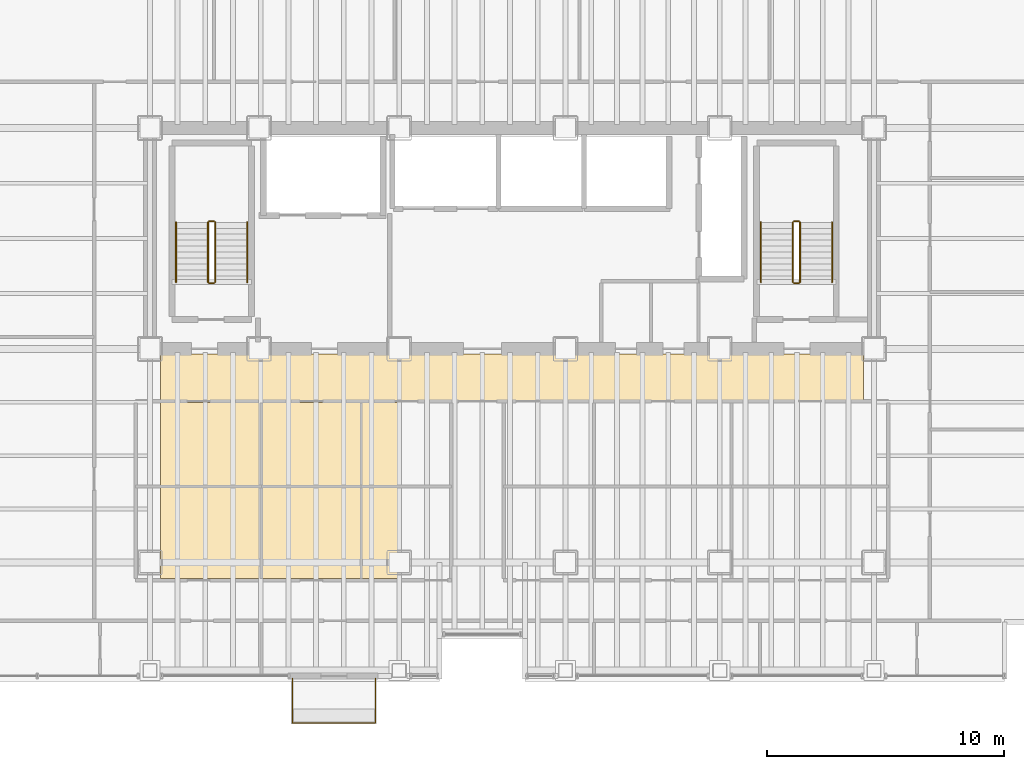
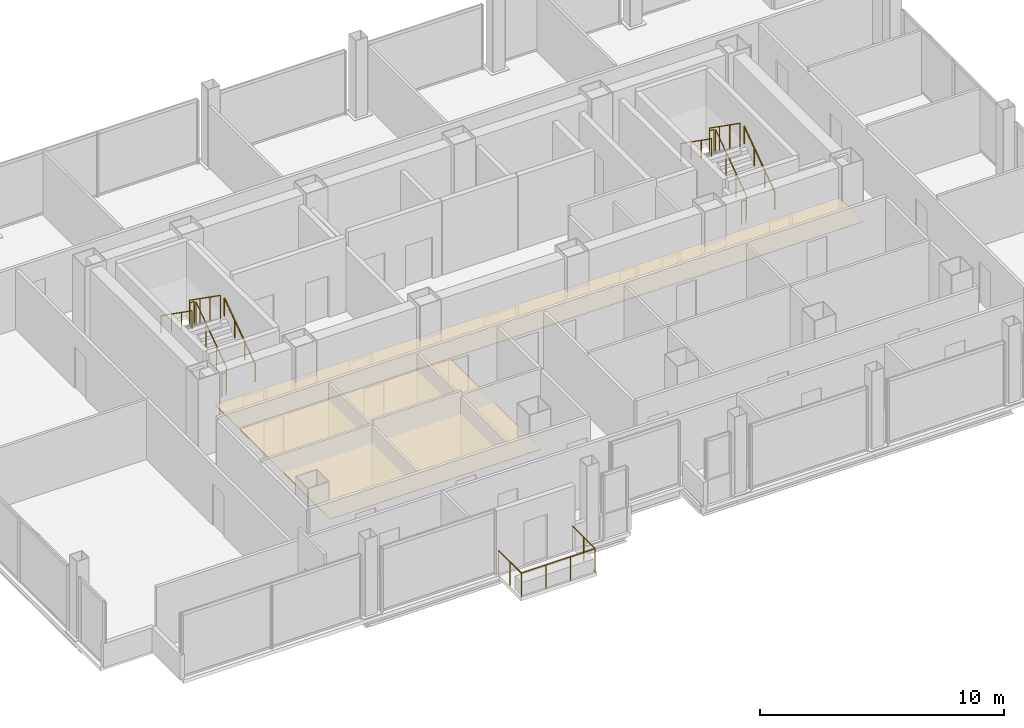
# One storey, part 21 of 21: 13 railings, 2 coverings.
"""IFC4 building model written with IfcOpenShell, lengths in metres."""

from ifc_helpers import new_model, si_unit, direction, frame, origin, origin_2d, place, context, subcontext, project, spatial, polyline, circle, outline, extrude, material, layer, layer_set, type_object, element, save


model = new_model("IFC4")

# Units and contexts
model_context = context("Model", 3, precision=1e-05, world=origin(), true_north=direction((0.0, 1.0)))
body_context = subcontext(model_context, "Body", "Model", "MODEL_VIEW")
ifc_project = project(units=[si_unit("LENGTHUNIT", "METRE"), si_unit("AREAUNIT", "SQUARE_METRE"), si_unit("VOLUMEUNIT", "CUBIC_METRE"), si_unit("PLANEANGLEUNIT", "RADIAN"), si_unit("MASSUNIT", "GRAM", prefix="KILO")], contexts=[model_context])

# Site, building, storey
site_placement = place(None, origin())
site = spatial("IfcSite", under=ifc_project, at=site_placement, CompositionType="ELEMENT")
building_placement = place(site_placement, origin())
building = spatial("IfcBuilding", under=site, at=building_placement, Name="Noeulbin Bourse Tower", CompositionType="ELEMENT")
storey_placement = place(building_placement, frame((0.0, 0.0, 46.0)))
storey = spatial("IfcBuildingStorey", under=building, at=storey_placement, Name="L11", CompositionType="ELEMENT", Elevation=46.0)

# Coverings
ifc_material_1 = material(Name="Perforated Mineral-Fibre Acoustic Tile")
ifc_layer_1 = layer(ifc_material_1, 0.0400390625)
ifc_layer_set_1 = layer_set([ifc_layer_1], Name="Perforated Mineral-Fibre Acoustic Tile")
covering_type = type_object("IfcCoveringType", Name="COV-CEIL-ACT", PredefinedType="CEILING", material=ifc_layer_set_1)
covering_1_placement = place(storey_placement, frame((0.0, 0.0, 2.110107421875)))
element("IfcCovering", 1, at=covering_1_placement, inside=storey, type_object=covering_type, Name="Corridor Suspended Ceiling L11", PredefinedType="CEILING", context=body_context, shape_type="SweptSolid", body=[
    extrude(outline(polyline([(13.949951171875, 26.820068359375), (43.550048828125, 26.820068359375), (43.550048828125, 28.780029296875), (13.949951171875, 28.780029296875), (13.949951171875, 26.820068359375)])), origin(), (0.0, 0.0, 1.0), 0.039794921875),
])
covering_2_placement = place(storey_placement, frame((0.0, 0.0, 2.110107421875)))
element("IfcCovering", 2, at=covering_2_placement, inside=storey, type_object=covering_type, Name="Trading Suite Acoustic Ceiling L11", PredefinedType="CEILING", context=body_context, shape_type="SweptSolid", body=[
    extrude(outline(polyline([(13.949951171875, 19.320068359375), (23.949951171875, 19.320068359375), (23.949951171875, 26.75), (13.949951171875, 26.75), (13.949951171875, 19.320068359375)])), origin(), (0.0, 0.0, 1.0), 0.039794921875),
])

# Railings
ifc_material_2 = material(Name="Laminated SentryGlas and Stainless Steel 316", Category="steel")
ifc_layer_2 = layer(ifc_material_2, 0.06005859375)
ifc_layer_set_2 = layer_set([ifc_layer_2], Name="Laminated SentryGlas and Stainless Steel 316")
railing_type_1 = type_object("IfcRailingType", Name="RLG-BAL-1200", PredefinedType="BALUSTRADE", material=ifc_layer_set_2)
railing_1_placement = place(storey_placement, frame((19.5, 15.1201171875, 0.0)))
element("IfcRailing", 3, at=railing_1_placement, inside=storey, type_object=railing_type_1, Name="Tree-Balcony Glazed Balustrade L11", PredefinedType="BALUSTRADE", context=body_context, shape_type="SweptSolid", body=[
    extrude(circle(Radius=0.02392578125, at=origin_2d()), frame((0.0, 0.0, 1.17578125), z_axis=(0.0, -1.0, 0.0), x_axis=(1.0, 0.0, 0.0)), (0.0, 0.0, 1.0), 1.8701171875),
    extrude(circle(Radius=0.02392578125, at=origin_2d()), frame((0.0, -1.8701171875, 1.17578125), z_axis=(1.0, 0.0, 0.0), x_axis=(0.0, 1.0, 0.0)), (0.0, 0.0, 1.0), 3.5),
    extrude(circle(Radius=0.02392578125, at=origin_2d()), frame((3.5, -1.8701171875, 1.17578125), z_axis=(0.0, 1.0, 0.0), x_axis=(-1.0, 0.0, 0.0)), (0.0, 0.0, 1.0), 1.8701171875),
    extrude(circle(Radius=0.02099609375, at=origin_2d()), origin(), (0.0, 0.0, 1.0), 1.15185546875),
    extrude(circle(Radius=0.02099609375, at=origin_2d()), frame((0.0, -0.93505859375, 0.0)), (0.0, 0.0, 1.0), 1.15185546875),
    extrude(circle(Radius=0.02099609375, at=origin_2d()), frame((0.0, -1.8701171875, 0.0)), (0.0, 0.0, 1.0), 1.15185546875),
    extrude(circle(Radius=0.02099609375, at=origin_2d()), frame((1.166748046875, -1.8701171875, 0.0)), (0.0, 0.0, 1.0), 1.15185546875),
    extrude(circle(Radius=0.02099609375, at=origin_2d()), frame((2.333251953125, -1.8701171875, 0.0)), (0.0, 0.0, 1.0), 1.15185546875),
    extrude(circle(Radius=0.02099609375, at=origin_2d()), frame((3.5, -1.8701171875, 0.0)), (0.0, 0.0, 1.0), 1.15185546875),
    extrude(circle(Radius=0.02099609375, at=origin_2d()), frame((3.5, -0.93505859375, 0.0)), (0.0, 0.0, 1.0), 1.15185546875),
    extrude(circle(Radius=0.02099609375, at=origin_2d()), frame((3.5, 0.0, 0.0)), (0.0, 0.0, 1.0), 1.15185546875),
])
ifc_material_3 = material(Name="Painted Tubular Steel S355", Category="steel")
ifc_layer_3 = layer(ifc_material_3, 0.048095703125)
ifc_layer_set_3 = layer_set([ifc_layer_3], Name="Painted Tubular Steel S355")
railing_type_2 = type_object("IfcRailingType", Name="RLG-STR-GRD", PredefinedType="GUARDRAIL", material=ifc_layer_set_3)
railing_2_placement = place(storey_placement, frame((16.25, 31.81005859375, 0.17724609375)))
element("IfcRailing", 4, at=railing_2_placement, inside=storey, type_object=railing_type_2, Name="L11 ST-1 stair guard 1", PredefinedType="GUARDRAIL", context=body_context, shape_type="SweptSolid", body=[
    extrude(circle(Radius=0.02392578125, at=origin_2d()), frame((0.0, 0.0, 1.17578125), z_axis=(0.0, 0.817904474719, 0.575354039036), x_axis=(-1.0, 0.0, 0.0)), (0.0, 0.0, 1.0), 3.0810546875),
    extrude(circle(Radius=0.02099609375, at=origin_2d()), origin(), (0.0, 0.0, 1.0), 1.15185546875),
    extrude(circle(Radius=0.02099609375, at=origin_2d()), frame((0.0, 0.840087890625, 0.5908203125)), (0.0, 0.0, 1.0), 1.15185546875),
    extrude(circle(Radius=0.02099609375, at=origin_2d()), frame((0.0, 1.679931640625, 1.181884765625)), (0.0, 0.0, 1.0), 1.15185546875),
    extrude(circle(Radius=0.02099609375, at=origin_2d()), frame((0.0, 2.52001953125, 1.772705078125)), (0.0, 0.0, 1.0), 1.15185546875),
])
railing_3_placement = place(storey_placement, frame((16.199951171875, 34.3798828125, 1.949951171875)))
element("IfcRailing", 5, at=railing_3_placement, inside=storey, type_object=railing_type_2, Name="L11 ST-1 stair guard 2", PredefinedType="GUARDRAIL", context=body_context, shape_type="SweptSolid", body=[
    extrude(circle(Radius=0.02392578125, at=origin_2d()), frame((0.0, 0.0, 1.17578125), z_axis=(-1.0, 0.0, 0.0), x_axis=(0.0, -1.0, 0.0)), (0.0, 0.0, 1.0), 0.199951171875),
    extrude(circle(Radius=0.02099609375, at=origin_2d()), origin(), (0.0, 0.0, 1.0), 1.15185546875),
    extrude(circle(Radius=0.02099609375, at=origin_2d()), frame((-0.199951171875, 0.0, 0.0)), (0.0, 0.0, 1.0), 1.15185546875),
])
railing_4_placement = place(storey_placement, frame((15.949951171875, 34.330078125, 2.127197265625)))
element("IfcRailing", 6, at=railing_4_placement, inside=storey, type_object=railing_type_2, Name="L11 ST-1 stair guard 3", PredefinedType="GUARDRAIL", context=body_context, shape_type="SweptSolid", body=[
    extrude(circle(Radius=0.02392578125, at=origin_2d()), frame((0.0, 0.0, 1.17578125), z_axis=(0.0, -0.817904474719, 0.575354039036), x_axis=(1.0, 0.0, 0.0)), (0.0, 0.0, 1.0), 3.0810546875),
    extrude(circle(Radius=0.02099609375, at=origin_2d()), origin(), (0.0, 0.0, 1.0), 1.15185546875),
    extrude(circle(Radius=0.02099609375, at=origin_2d()), frame((0.0, -0.840087890625, 0.5908203125)), (0.0, 0.0, 1.0), 1.15185546875),
    extrude(circle(Radius=0.02099609375, at=origin_2d()), frame((0.0, -1.679931640625, 1.181884765625)), (0.0, 0.0, 1.0), 1.15185546875),
    extrude(circle(Radius=0.02099609375, at=origin_2d()), frame((0.0, -2.52001953125, 1.772705078125)), (0.0, 0.0, 1.0), 1.15185546875),
])
railing_5_placement = place(storey_placement, frame((16.199951171875, 31.760009765625, 0.0)))
element("IfcRailing", 7, at=railing_5_placement, inside=storey, type_object=railing_type_2, Name="L11 ST-1 stair guard 4", PredefinedType="GUARDRAIL", context=body_context, shape_type="SweptSolid", body=[
    extrude(circle(Radius=0.02392578125, at=origin_2d()), frame((0.0, 0.0, 1.17578125), z_axis=(-1.0, 0.0, 0.0), x_axis=(0.0, -1.0, 0.0)), (0.0, 0.0, 1.0), 0.199951171875),
    extrude(circle(Radius=0.02099609375, at=origin_2d()), origin(), (0.0, 0.0, 1.0), 1.15185546875),
    extrude(circle(Radius=0.02099609375, at=origin_2d()), frame((-0.199951171875, 0.0, 0.0)), (0.0, 0.0, 1.0), 1.15185546875),
])
railing_6_placement = place(storey_placement, frame((40.8798828125, 31.81005859375, 0.17724609375)))
element("IfcRailing", 8, at=railing_6_placement, inside=storey, type_object=railing_type_2, Name="L11 ST-2 stair guard 1", PredefinedType="GUARDRAIL", context=body_context, shape_type="SweptSolid", body=[
    extrude(circle(Radius=0.02392578125, at=origin_2d()), frame((0.0, 0.0, 1.17578125), z_axis=(0.0, 0.817904474719, 0.575354039036), x_axis=(-1.0, 0.0, 0.0)), (0.0, 0.0, 1.0), 3.0810546875),
    extrude(circle(Radius=0.02099609375, at=origin_2d()), origin(), (0.0, 0.0, 1.0), 1.15185546875),
    extrude(circle(Radius=0.02099609375, at=origin_2d()), frame((0.0, 0.840087890625, 0.5908203125)), (0.0, 0.0, 1.0), 1.15185546875),
    extrude(circle(Radius=0.02099609375, at=origin_2d()), frame((0.0, 1.679931640625, 1.181884765625)), (0.0, 0.0, 1.0), 1.15185546875),
    extrude(circle(Radius=0.02099609375, at=origin_2d()), frame((0.0, 2.52001953125, 1.772705078125)), (0.0, 0.0, 1.0), 1.15185546875),
])
railing_7_placement = place(storey_placement, frame((40.830078125, 34.3798828125, 1.949951171875)))
element("IfcRailing", 9, at=railing_7_placement, inside=storey, type_object=railing_type_2, Name="L11 ST-2 stair guard 2", PredefinedType="GUARDRAIL", context=body_context, shape_type="SweptSolid", body=[
    extrude(circle(Radius=0.02392578125, at=origin_2d()), frame((0.0, 0.0, 1.17578125), z_axis=(-1.0, 0.0, 0.0), x_axis=(0.0, -1.0, 0.0)), (0.0, 0.0, 1.0), 0.2001953125),
    extrude(circle(Radius=0.02099609375, at=origin_2d()), origin(), (0.0, 0.0, 1.0), 1.15185546875),
    extrude(circle(Radius=0.02099609375, at=origin_2d()), frame((-0.2001953125, 0.0, 0.0)), (0.0, 0.0, 1.0), 1.15185546875),
])
railing_8_placement = place(storey_placement, frame((40.580078125, 34.330078125, 2.127197265625)))
element("IfcRailing", 10, at=railing_8_placement, inside=storey, type_object=railing_type_2, Name="L11 ST-2 stair guard 3", PredefinedType="GUARDRAIL", context=body_context, shape_type="SweptSolid", body=[
    extrude(circle(Radius=0.02392578125, at=origin_2d()), frame((0.0, 0.0, 1.17578125), z_axis=(0.0, -0.817904474719, 0.575354039036), x_axis=(1.0, 0.0, 0.0)), (0.0, 0.0, 1.0), 3.0810546875),
    extrude(circle(Radius=0.02099609375, at=origin_2d()), origin(), (0.0, 0.0, 1.0), 1.15185546875),
    extrude(circle(Radius=0.02099609375, at=origin_2d()), frame((0.0, -0.840087890625, 0.5908203125)), (0.0, 0.0, 1.0), 1.15185546875),
    extrude(circle(Radius=0.02099609375, at=origin_2d()), frame((0.0, -1.679931640625, 1.181884765625)), (0.0, 0.0, 1.0), 1.15185546875),
    extrude(circle(Radius=0.02099609375, at=origin_2d()), frame((0.0, -2.52001953125, 1.772705078125)), (0.0, 0.0, 1.0), 1.15185546875),
])
railing_9_placement = place(storey_placement, frame((40.830078125, 31.760009765625, 0.0)))
element("IfcRailing", 11, at=railing_9_placement, inside=storey, type_object=railing_type_2, Name="L11 ST-2 stair guard 4", PredefinedType="GUARDRAIL", context=body_context, shape_type="SweptSolid", body=[
    extrude(circle(Radius=0.02392578125, at=origin_2d()), frame((0.0, 0.0, 1.17578125), z_axis=(-1.0, 0.0, 0.0), x_axis=(0.0, -1.0, 0.0)), (0.0, 0.0, 1.0), 0.2001953125),
    extrude(circle(Radius=0.02099609375, at=origin_2d()), origin(), (0.0, 0.0, 1.0), 1.15185546875),
    extrude(circle(Radius=0.02099609375, at=origin_2d()), frame((-0.2001953125, 0.0, 0.0)), (0.0, 0.0, 1.0), 1.15185546875),
])
ifc_material_4 = material(Name="Brushed Stainless Steel 316", Category="steel")
ifc_layer_4 = layer(ifc_material_4, 0.048095703125)
ifc_layer_set_4 = layer_set([ifc_layer_4], Name="Brushed Stainless Steel 316")
railing_type_3 = type_object("IfcRailingType", Name="RLG-STR-HND", PredefinedType="HANDRAIL", material=ifc_layer_set_4)
railing_10_placement = place(storey_placement, frame((17.60009765625, 31.81005859375, 0.17724609375)))
element("IfcRailing", 12, at=railing_10_placement, inside=storey, type_object=railing_type_3, Name="L11 ST-1 stair handrail 1", PredefinedType="HANDRAIL", context=body_context, shape_type="SweptSolid", body=[
    extrude(circle(Radius=0.02392578125, at=origin_2d()), frame((0.0, 0.0, 0.8759765625), z_axis=(0.0, 0.817904474719, 0.575354039036), x_axis=(-1.0, 0.0, 0.0)), (0.0, 0.0, 1.0), 3.0810546875),
    extrude(circle(Radius=0.02099609375, at=origin_2d()), origin(), (0.0, 0.0, 1.0), 0.851806640625),
    extrude(circle(Radius=0.02099609375, at=origin_2d()), frame((0.0, 0.840087890625, 0.5908203125)), (0.0, 0.0, 1.0), 0.851806640625),
    extrude(circle(Radius=0.02099609375, at=origin_2d()), frame((0.0, 1.679931640625, 1.181884765625)), (0.0, 0.0, 1.0), 0.851806640625),
    extrude(circle(Radius=0.02099609375, at=origin_2d()), frame((0.0, 2.52001953125, 1.772705078125)), (0.0, 0.0, 1.0), 0.851806640625),
])
railing_11_placement = place(storey_placement, frame((14.60009765625, 34.330078125, 2.127197265625)))
element("IfcRailing", 13, at=railing_11_placement, inside=storey, type_object=railing_type_3, Name="L11 ST-1 stair handrail 2", PredefinedType="HANDRAIL", context=body_context, shape_type="SweptSolid", body=[
    extrude(circle(Radius=0.02392578125, at=origin_2d()), frame((0.0, 0.0, 0.8759765625), z_axis=(0.0, -0.817904474719, 0.575354039036), x_axis=(1.0, 0.0, 0.0)), (0.0, 0.0, 1.0), 3.0810546875),
    extrude(circle(Radius=0.02099609375, at=origin_2d()), origin(), (0.0, 0.0, 1.0), 0.851806640625),
    extrude(circle(Radius=0.02099609375, at=origin_2d()), frame((0.0, -0.840087890625, 0.5908203125)), (0.0, 0.0, 1.0), 0.851806640625),
    extrude(circle(Radius=0.02099609375, at=origin_2d()), frame((0.0, -1.679931640625, 1.181884765625)), (0.0, 0.0, 1.0), 0.851806640625),
    extrude(circle(Radius=0.02099609375, at=origin_2d()), frame((0.0, -2.52001953125, 1.772705078125)), (0.0, 0.0, 1.0), 0.851806640625),
])
railing_12_placement = place(storey_placement, frame((42.22998046875, 31.81005859375, 0.17724609375)))
element("IfcRailing", 14, at=railing_12_placement, inside=storey, type_object=railing_type_3, Name="L11 ST-2 stair handrail 1", PredefinedType="HANDRAIL", context=body_context, shape_type="SweptSolid", body=[
    extrude(circle(Radius=0.02392578125, at=origin_2d()), frame((0.0, 0.0, 0.8759765625), z_axis=(0.0, 0.817904474719, 0.575354039036), x_axis=(-1.0, 0.0, 0.0)), (0.0, 0.0, 1.0), 3.0810546875),
    extrude(circle(Radius=0.02099609375, at=origin_2d()), origin(), (0.0, 0.0, 1.0), 0.851806640625),
    extrude(circle(Radius=0.02099609375, at=origin_2d()), frame((0.0, 0.840087890625, 0.5908203125)), (0.0, 0.0, 1.0), 0.851806640625),
    extrude(circle(Radius=0.02099609375, at=origin_2d()), frame((0.0, 1.679931640625, 1.181884765625)), (0.0, 0.0, 1.0), 0.851806640625),
    extrude(circle(Radius=0.02099609375, at=origin_2d()), frame((0.0, 2.52001953125, 1.772705078125)), (0.0, 0.0, 1.0), 0.851806640625),
])
railing_13_placement = place(storey_placement, frame((39.22998046875, 34.330078125, 2.127197265625)))
element("IfcRailing", 15, at=railing_13_placement, inside=storey, type_object=railing_type_3, Name="L11 ST-2 stair handrail 2", PredefinedType="HANDRAIL", context=body_context, shape_type="SweptSolid", body=[
    extrude(circle(Radius=0.02392578125, at=origin_2d()), frame((0.0, 0.0, 0.8759765625), z_axis=(0.0, -0.817904474719, 0.575354039036), x_axis=(1.0, 0.0, 0.0)), (0.0, 0.0, 1.0), 3.0810546875),
    extrude(circle(Radius=0.02099609375, at=origin_2d()), origin(), (0.0, 0.0, 1.0), 0.851806640625),
    extrude(circle(Radius=0.02099609375, at=origin_2d()), frame((0.0, -0.840087890625, 0.5908203125)), (0.0, 0.0, 1.0), 0.851806640625),
    extrude(circle(Radius=0.02099609375, at=origin_2d()), frame((0.0, -1.679931640625, 1.181884765625)), (0.0, 0.0, 1.0), 0.851806640625),
    extrude(circle(Radius=0.02099609375, at=origin_2d()), frame((0.0, -2.52001953125, 1.772705078125)), (0.0, 0.0, 1.0), 0.851806640625),
])

save(model, "model.ifc")
